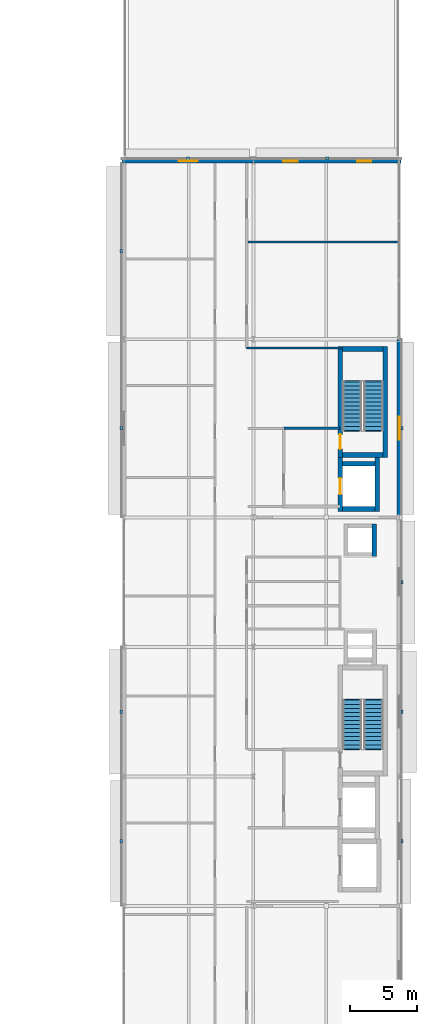
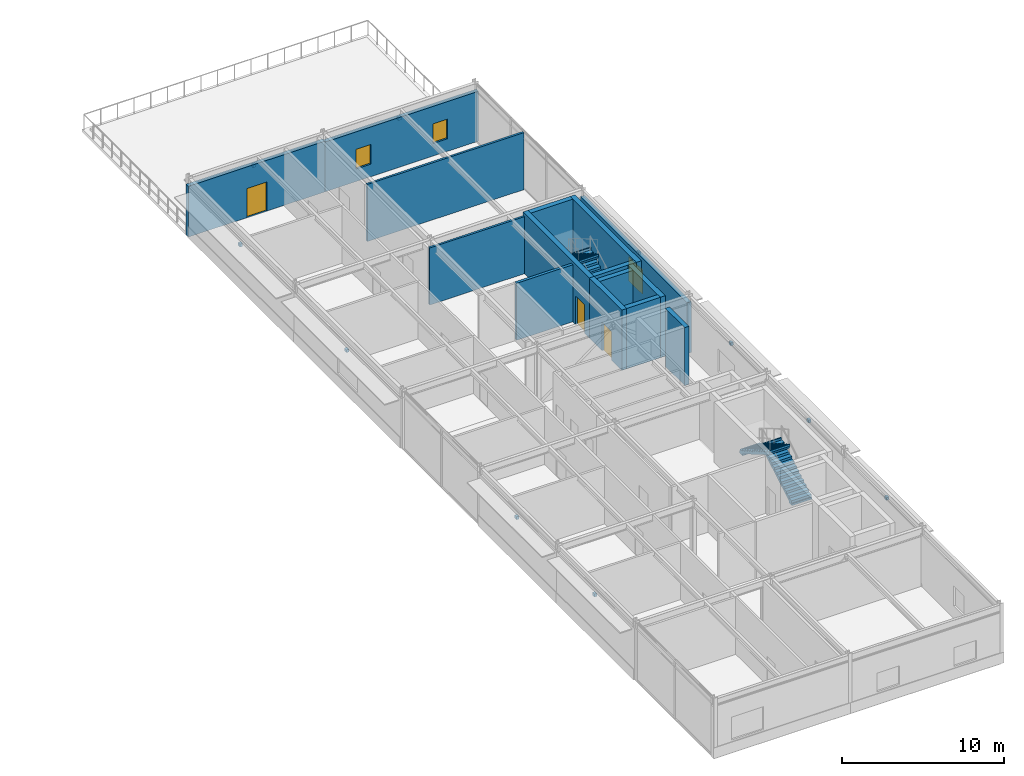
# One storey, part 17 of 22: 15 walls, 10 discrete accessories, 4 stair flights, 3 doors, 3 windows, 6 openings, 2 elements without a shape of their own.
"""IFC4 building model written with IfcOpenShell, lengths in metres."""

import ifcopenshell
import ifcopenshell.guid

model = None  # the IFC model being written
_history = None  # IfcOwnerHistory: only IFC2X3 demands one
_inside = {}  # id of a spatial element -> (the spatial element, [elements in it])
_under = {}  # id of a project, library or spatial element -> (it, [spatial elements below it])
_declared = {}  # id of a project -> (the project, [libraries it declares])
_typed = {}  # id of a type object -> (the type object, [elements of that type])
_made_of = {}  # id of a material, layer set ... -> (it, [elements and type objects made of it])


def new_model(schema):
    """Start an empty IFC model of exactly this schema.

    Asked for "IFC4X3", IfcOpenShell would pick the latest addendum, in which some entities
    have other attributes; the version numbers below select the first issue.
    IFC2X3 requires an IfcOwnerHistory on every rooted entity: one is made here for all.
    """
    global model, _history
    if schema == "IFC4X3":
        model = ifcopenshell.file(schema_version=(4, 3, 0, 0))
    else:
        model = ifcopenshell.file(schema=schema)
    _inside.clear()
    _under.clear()
    _declared.clear()
    _typed.clear()
    _made_of.clear()
    _history = None
    if model.schema == "IFC2X3":
        org = make("IfcOrganization", Name="unknown")
        user = make(
            "IfcPersonAndOrganization",
            ThePerson=make("IfcPerson", FamilyName="unknown"),
            TheOrganization=org,
        )
        app = make(
            "IfcApplication",
            ApplicationDeveloper=org,
            Version="unknown",
            ApplicationFullName="unknown",
            ApplicationIdentifier="unknown",
        )
        _history = make(
            "IfcOwnerHistory",
            OwningUser=user,
            OwningApplication=app,
            ChangeAction="ADDED",
            CreationDate=0,
        )
    return model


def make(cls, **values):
    """One entity of the class cls with the attributes given. An attribute that is None is left unset."""
    return model.create_entity(
        cls, **{name: value for name, value in values.items() if value is not None}
    )


def rooted(cls, **values):
    """An entity with a GlobalId (a new one), such as an element, a storey or a relation."""
    return make(cls, GlobalId=ifcopenshell.guid.new(), OwnerHistory=_history, **values)


def si_unit(unit_type, name, prefix=None):
    """IfcSIUnit, for example si_unit("LENGTHUNIT", "METRE", prefix="MILLI")."""
    return make("IfcSIUnit", UnitType=unit_type, Prefix=prefix, Name=name)


def assignment(units):
    """IfcUnitAssignment: the units of a project."""
    return None if units is None else make("IfcUnitAssignment", Units=units)


def point(xyz):
    """IfcCartesianPoint."""
    return None if xyz is None else make("IfcCartesianPoint", Coordinates=xyz)


def direction(xyz):
    """IfcDirection."""
    return None if xyz is None else make("IfcDirection", DirectionRatios=xyz)


def frame(location, z_axis=None, x_axis=None):
    """IfcAxis2Placement3D, a coordinate frame: its origin and axes. An axis left out is left unset."""
    return make(
        "IfcAxis2Placement3D",
        Location=point(location),
        Axis=direction(z_axis),
        RefDirection=direction(x_axis),
    )


def frame_2d(location, x_axis=None):
    """IfcAxis2Placement2D, a coordinate frame in the plane: its origin and x axis."""
    return make(
        "IfcAxis2Placement2D", Location=point(location), RefDirection=direction(x_axis)
    )


def origin():
    """The frame at (0, 0, 0) with its axes left unset."""
    return frame((0.0, 0.0, 0.0))


def origin_2d():
    """The frame at (0, 0) in the plane with its x axis left unset."""
    return frame_2d((0.0, 0.0))


def place(relative_to, where):
    """IfcLocalPlacement: puts the frame where relative to a parent placement (None: the world)."""
    return make(
        "IfcLocalPlacement", PlacementRelTo=relative_to, RelativePlacement=where
    )


def context(
    kind, dimensions, precision=None, world=None, true_north=None, identifier=None
):
    """IfcGeometricRepresentationContext, for example the 3D "Model" context."""
    return make(
        "IfcGeometricRepresentationContext",
        ContextIdentifier=identifier,
        ContextType=kind,
        CoordinateSpaceDimension=dimensions,
        Precision=precision,
        WorldCoordinateSystem=world,
        TrueNorth=true_north,
    )


def subcontext(parent, identifier, kind, view, scale=None):
    """IfcGeometricRepresentationSubContext, for example "Body" below "Model"."""
    return make(
        "IfcGeometricRepresentationSubContext",
        ContextIdentifier=identifier,
        ContextType=kind,
        ParentContext=parent,
        TargetScale=scale,
        TargetView=view,
    )


def project(units=None, contexts=None):
    """IfcProject with its units and contexts."""
    return rooted(
        "IfcProject",
        Name="project",
        RepresentationContexts=contexts,
        UnitsInContext=assignment(units),
    )


def spatial(cls, under=None, at=None, **own):
    """A site, building, storey or space (cls), placed at a placement, below another one or the project."""
    s = rooted(cls, ObjectPlacement=at, **own)
    if under is not None:
        _under.setdefault(under.id(), (under, []))[1].append(s)
    return s


def polyline(points):
    """IfcPolyline through the points."""
    return make("IfcPolyline", Points=[point(p) for p in points])


def profile(cls, at=None, kind="AREA", **sizes):
    """A parametric profile (cls). Its sizes go by their IFC names, for example OverallWidth=200.0."""
    return make(cls, ProfileType=kind, Position=at, **sizes)


def rectangle(**sizes):
    """IfcRectangleProfileDef."""
    return profile("IfcRectangleProfileDef", **sizes)


def outline(outer, holes=None, kind="AREA"):
    """IfcArbitraryClosedProfileDef: a profile drawn as a closed curve; with holes, ...WithVoids."""
    if holes is None:
        return make("IfcArbitraryClosedProfileDef", ProfileType=kind, OuterCurve=outer)
    return make(
        "IfcArbitraryProfileDefWithVoids",
        ProfileType=kind,
        OuterCurve=outer,
        InnerCurves=holes,
    )


def extrude(swept, where, along, depth):
    """IfcExtrudedAreaSolid: the profile swept, set in the frame where, extruded along a direction by depth."""
    return make(
        "IfcExtrudedAreaSolid",
        SweptArea=swept,
        Position=where,
        ExtrudedDirection=direction(along),
        Depth=depth,
    )


def shape(context_of_items, identifier, shape_type, items):
    """IfcShapeRepresentation: the items that make up one representation, for example the "Body"."""
    return make(
        "IfcShapeRepresentation",
        ContextOfItems=context_of_items,
        RepresentationIdentifier=identifier,
        RepresentationType=shape_type,
        Items=items,
    )


def material(Name=None, Category=None):
    """IfcMaterial."""
    return make("IfcMaterial", Name=Name, Category=Category)


def layer(
    of_material, thickness, ventilated=None, Name=None, Category=None, Priority=None
):
    """IfcMaterialLayer: one layer of a wall or slab, of a material (None: an air gap)."""
    return make(
        "IfcMaterialLayer",
        Material=of_material,
        LayerThickness=thickness,
        IsVentilated=ventilated,
        Name=Name,
        Category=Category,
        Priority=Priority,
    )


def layer_set(layers, Name=None):
    """IfcMaterialLayerSet."""
    return make("IfcMaterialLayerSet", MaterialLayers=layers, LayerSetName=Name)


def made_of(thing, what):
    """Note that an element or type object is made of a material, layer set ...; save() writes the relation."""
    if what is not None:
        _made_of.setdefault(what.id(), (what, []))[1].append(thing)
    return thing


def type_object(cls, material=None, **own):
    """A type object (cls), such as IfcWallType, which elements share."""
    return made_of(rooted(cls, **own), material)


def element(
    cls,
    number,
    at=None,
    inside=None,
    cuts=None,
    type_object=None,
    material=None,
    context=None,
    identifier="Body",
    shape_type=None,
    held_by="IfcProductDefinitionShape",
    body=None,
    shapes=None,
    **own,
):
    """One element of the class cls, such as IfcWall. Its Tag is "e" and its number.

    at: its placement. inside: the storey or other place that contains it. cuts: it is an
    opening in that element (IfcRelVoidsElement). A single representation is given by context,
    identifier, shape_type and body (its items); several are given by shapes. held_by: the class
    of the entity that holds the representations. save() writes the other relations.
    """
    e = rooted(cls, Tag="e%d" % number, ObjectPlacement=at, **own)
    if body is not None:
        shapes = [shape(context, identifier, shape_type, body)]
    if shapes is not None:
        e.Representation = make(held_by, Representations=shapes)
    if inside is not None:
        _inside.setdefault(inside.id(), (inside, []))[1].append(e)
    if cuts is not None:
        rooted(
            "IfcRelVoidsElement", RelatingBuildingElement=cuts, RelatedOpeningElement=e
        )
    if type_object is not None:
        _typed.setdefault(type_object.id(), (type_object, []))[1].append(e)
    return made_of(e, material)


def fill(opening, filler):
    """IfcRelFillsElement: the door or window that sits in an opening."""
    return rooted(
        "IfcRelFillsElement",
        RelatingOpeningElement=opening,
        RelatedBuildingElement=filler,
    )


def aggregate(whole, parts):
    """IfcRelAggregates: a whole, such as a stair, and the parts it consists of."""
    return rooted("IfcRelAggregates", RelatingObject=whole, RelatedObjects=parts)


def save(model, path):
    """Write the relations noted so far, then the file.

    IfcRelAggregates (storeys below a building ...), IfcRelContainedInSpatialStructure (elements
    in a storey), IfcRelDefinesByType, IfcRelAssociatesMaterial and IfcRelDeclares: one each for
    every whole, place, type object, material and project.
    """
    for whole, parts in _under.values():
        aggregate(whole, parts)
    for where, things in _inside.values():
        rooted(
            "IfcRelContainedInSpatialStructure",
            RelatedElements=things,
            RelatingStructure=where,
        )
    for kind, things in _typed.values():
        rooted("IfcRelDefinesByType", RelatedObjects=things, RelatingType=kind)
    for what, things in _made_of.values():
        rooted("IfcRelAssociatesMaterial", RelatedObjects=things, RelatingMaterial=what)
    for by, libraries in _declared.values():
        rooted("IfcRelDeclares", RelatingContext=by, RelatedDefinitions=libraries)
    model.write(path)


model = new_model("IFC4")

# Units and contexts
model_context = context("Model", 3, precision=1e-05, world=origin(), true_north=direction((0.0, 1.0)))
body_context = subcontext(model_context, "Body", "Model", "MODEL_VIEW")
ifc_project = project(units=[si_unit("LENGTHUNIT", "METRE"), si_unit("AREAUNIT", "SQUARE_METRE"), si_unit("VOLUMEUNIT", "CUBIC_METRE"), si_unit("PLANEANGLEUNIT", "RADIAN"), si_unit("MASSUNIT", "GRAM", prefix="KILO")], contexts=[model_context])

# Site, building, storey
site_placement = place(None, origin())
site = spatial("IfcSite", under=ifc_project, at=site_placement, CompositionType="ELEMENT")
building_placement = place(site_placement, origin())
building = spatial("IfcBuilding", under=site, at=building_placement, Name="Almandine Court Research Institute", CompositionType="ELEMENT")
storey_placement = place(building_placement, frame((0.0, 0.0, 28.0)))
storey = spatial("IfcBuildingStorey", under=building, at=storey_placement, Name="L06", CompositionType="ELEMENT", Elevation=28.0)

# Wall, opening, door
ifc_material_1 = material(Name="Insulated Ochre Terracotta Rainscreen Wall", Category="masonry")
ifc_layer_1 = layer(ifc_material_1, 0.2900390625)
ifc_layer_set_1 = layer_set([ifc_layer_1], Name="Insulated Ochre Terracotta Rainscreen Wall")
wall_type_1 = type_object("IfcWallType", Name="Wall-EXT-TERR-290", PredefinedType="SOLIDWALL", material=ifc_layer_set_1)
wall_1_placement = place(storey_placement, frame((153.455078125, 70.800048828125, 0.0), z_axis=(0.0, 0.0, 1.0), x_axis=(1.0, 0.0, 0.0)))
wall_1 = element("IfcWall", 1, at=wall_1_placement, inside=storey, type_object=wall_type_1, Name="L06 Wet Lab North Wall 1", PredefinedType="SOLIDWALL", context=body_context, shape_type="SweptSolid", body=[
    extrude(rectangle(XDim=9.740966796875, YDim=0.2900390625, at=frame_2d((4.87060546875, 0.0))), origin(), (0.0, 0.0, 1.0), 3.825927734375),
])
opening_1_placement = place(wall_1_placement, frame((4.199951171875, 0.0, 0.0)))
opening_1 = element("IfcOpeningElement", 2, at=opening_1_placement, cuts=wall_1, Name="Opening TD-01", PredefinedType="OPENING", context=body_context, shape_type="SweptSolid", body=[
    extrude(rectangle(XDim=1.39990234375, YDim=2.199951171875, at=frame_2d((0.699951171875, 1.10009765625))), frame((0.0, 0.155029296875, 0.0), z_axis=(0.0, -1.0, 0.0), x_axis=(1.0, 0.0, 0.0)), (0.0, 0.0, 1.0), 0.31005859375),
])
ifc_material_2 = material(Name="Thermally Broken Glazed Terrace Door")
door_type_1 = type_object("IfcDoorType", Name="Door-TER-1400", OperationType="DOUBLE_DOOR_SINGLE_SWING", PredefinedType="DOOR", material=ifc_material_2)
door_1_placement = place(opening_1_placement, origin())
door_1 = element("IfcDoor", 3, at=door_1_placement, inside=storey, type_object=door_type_1, Name="L06 Wet Lab North Roof Garden Door", OperationType="DOUBLE_DOOR_SINGLE_SWING", OverallHeight=2.199951171875, OverallWidth=1.39990234375, PredefinedType="DOOR", context=body_context, shape_type="SweptSolid", body=[
    extrude(rectangle(XDim=1.39990234375, YDim=2.199951171875, at=frame_2d((0.699951171875, 1.10009765625))), frame((0.0, 0.02490234375, 0.0), z_axis=(0.0, -1.0, 0.0), x_axis=(1.0, 0.0, 0.0)), (0.0, 0.0, 1.0), 0.050048828125),
])
fill(opening_1, door_1)

# Wall, openings, windows
wall_2_placement = place(storey_placement, frame((163.2041015625, 70.800048828125, 0.0), z_axis=(0.0, 0.0, 1.0), x_axis=(1.0, 0.0, 0.0)))
wall_2 = element("IfcWall", 4, at=wall_2_placement, inside=storey, type_object=wall_type_1, Name="L06 Wet Lab North Wall 2", PredefinedType="SOLIDWALL", context=body_context, shape_type="SweptSolid", body=[
    extrude(rectangle(XDim=10.94091796875, YDim=0.2900390625, at=frame_2d((5.470458984375, 0.0))), origin(), (0.0, 0.0, 1.0), 3.748046875),
])
opening_2_placement = place(wall_2_placement, frame((2.2099609375, 0.0, 0.949951171875)))
opening_2 = element("IfcOpeningElement", 5, at=opening_2_placement, cuts=wall_2, Name="Opening WN-85", PredefinedType="OPENING", context=body_context, shape_type="SweptSolid", body=[
    extrude(rectangle(XDim=1.050048828125, YDim=1.47998046875, at=frame_2d((0.52490234375, 0.739990234375))), frame((0.0, 0.155029296875, 0.0), z_axis=(0.0, -1.0, 0.0), x_axis=(1.0, 0.0, 0.0)), (0.0, 0.0, 1.0), 0.31005859375),
])
opening_3_placement = place(wall_2_placement, frame((7.680908203125, 0.0, 0.949951171875)))
opening_3 = element("IfcOpeningElement", 6, at=opening_3_placement, cuts=wall_2, Name="Opening WN-85", PredefinedType="OPENING", context=body_context, shape_type="SweptSolid", body=[
    extrude(rectangle(XDim=1.050048828125, YDim=1.47998046875, at=frame_2d((0.52490234375, 0.739990234375))), frame((0.0, 0.155029296875, 0.0), z_axis=(0.0, -1.0, 0.0), x_axis=(1.0, 0.0, 0.0)), (0.0, 0.0, 1.0), 0.31005859375),
])
ifc_material_3 = material(Name="Thermally Broken Low-E Double-Glazed Window", Category="glass")
window_type_1 = type_object("IfcWindowType", Name="Win-WN-85-1050x1480", PartitioningType="SINGLE_PANEL", PredefinedType="WINDOW", material=ifc_material_3)
window_1_placement = place(opening_2_placement, origin())
window_1 = element("IfcWindow", 7, at=window_1_placement, inside=storey, type_object=window_type_1, Name="L06 Modular Recessed Low-E Window 160", OverallHeight=1.47998046875, OverallWidth=1.050048828125, PartitioningType="SINGLE_PANEL", PredefinedType="WINDOW", context=body_context, shape_type="SweptSolid", body=[
    extrude(rectangle(XDim=1.050048828125, YDim=1.47998046875, at=frame_2d((0.52490234375, 0.739990234375))), frame((0.0, 0.030029296875, 0.0), z_axis=(0.0, -1.0, 0.0), x_axis=(1.0, 0.0, 0.0)), (0.0, 0.0, 1.0), 0.06005859375),
])
fill(opening_2, window_1)
window_2_placement = place(opening_3_placement, origin())
window_2 = element("IfcWindow", 8, at=window_2_placement, inside=storey, type_object=window_type_1, Name="L06 Modular Recessed Low-E Window 161", OverallHeight=1.47998046875, OverallWidth=1.050048828125, PartitioningType="SINGLE_PANEL", PredefinedType="WINDOW", context=body_context, shape_type="SweptSolid", body=[
    extrude(rectangle(XDim=1.050048828125, YDim=1.47998046875, at=frame_2d((0.52490234375, 0.739990234375))), frame((0.0, 0.030029296875, 0.0), z_axis=(0.0, -1.0, 0.0), x_axis=(1.0, 0.0, 0.0)), (0.0, 0.0, 1.0), 0.06005859375),
])
fill(opening_3, window_2)

# Wall, opening, window
wall_3_placement = place(storey_placement, frame((174.0, 57.595947265625, 0.0), z_axis=(0.0, 0.0, 1.0), x_axis=(0.0, -1.0, 0.0)))
wall_3 = element("IfcWall", 9, at=wall_3_placement, inside=storey, type_object=wall_type_1, Name="L06 Wet Lab East Facade Wall 5", PredefinedType="SOLIDWALL", context=body_context, shape_type="SweptSolid", body=[
    extrude(rectangle(XDim=13.19189453125, YDim=0.2900390625, at=frame_2d((6.595947265625, 0.0))), origin(), (0.0, 0.0, 1.0), 3.8291015625),
])
opening_4_placement = place(wall_3_placement, frame((5.740966796875, 0.0, 0.949951171875)))
opening_4 = element("IfcOpeningElement", 10, at=opening_4_placement, cuts=wall_3, Name="Opening WN-86", PredefinedType="OPENING", context=body_context, shape_type="SweptSolid", body=[
    extrude(rectangle(XDim=1.7099609375, YDim=1.800048828125, at=frame_2d((0.85498046875, 0.89990234375))), frame((0.0, 0.155029296875, 0.0), z_axis=(0.0, -1.0, 0.0), x_axis=(1.0, 0.0, 0.0)), (0.0, 0.0, 1.0), 0.31005859375),
])
window_type_2 = type_object("IfcWindowType", Name="Win-WN-86-1710x1800", PartitioningType="SINGLE_PANEL", PredefinedType="WINDOW", material=ifc_material_3)
window_3_placement = place(opening_4_placement, origin())
window_3 = element("IfcWindow", 11, at=window_3_placement, inside=storey, type_object=window_type_2, Name="L06 Modular Recessed Low-E Window 162", OverallHeight=1.800048828125, OverallWidth=1.7099609375, PartitioningType="SINGLE_PANEL", PredefinedType="WINDOW", context=body_context, shape_type="SweptSolid", body=[
    extrude(rectangle(XDim=1.7099609375, YDim=1.800048828125, at=frame_2d((0.85498046875, 0.89990234375))), frame((0.0, 0.030029296875, 0.0), z_axis=(0.0, -1.0, 0.0), x_axis=(1.0, 0.0, 0.0)), (0.0, 0.0, 1.0), 0.06005859375),
])
fill(opening_4, window_3)

# Walls
ifc_material_4 = material(Name="Two-Hour Fire-Barrier Enclosure Wall")
ifc_layer_2 = layer(ifc_material_4, 0.199951171875)
ifc_layer_set_2 = layer_set([ifc_layer_2], Name="Two-Hour Fire-Barrier Enclosure Wall")
wall_type_2 = type_object("IfcWallType", Name="Wall-FIRE-200", PredefinedType="SOLIDWALL", material=ifc_layer_set_2)
wall_4_placement = place(storey_placement, frame((165.449951171875, 51.0, 0.0), z_axis=(0.0, 0.0, 1.0), x_axis=(1.0, 0.0, 0.0)))
element("IfcWall", 12, at=wall_4_placement, inside=storey, type_object=wall_type_2, Name="L06 Interior Partition W-FFL2-L06-N", PredefinedType="SOLIDWALL", context=body_context, shape_type="SweptSolid", body=[
    extrude(rectangle(XDim=4.150146484375, YDim=0.199951171875, at=frame_2d((2.0751953125, 0.0))), origin(), (0.0, 0.0, 1.0), 4.300048828125),
])
ifc_material_5 = material(Name="Acoustic Steel-Stud Gypsum Partition Wall", Category="steel")
ifc_layer_3 = layer(ifc_material_5, 0.14990234375)
ifc_layer_set_3 = layer_set([ifc_layer_3], Name="Acoustic Steel-Stud Gypsum Partition Wall")
wall_type_3 = type_object("IfcWallType", Name="Wall-PART-150", PredefinedType="PARTITIONING", material=ifc_layer_set_3)
wall_5_placement = place(storey_placement, frame((162.699951171875, 56.949951171875, 0.0), z_axis=(0.0, 0.0, 1.0), x_axis=(1.0, 0.0, 0.0)))
element("IfcWall", 13, at=wall_5_placement, inside=storey, type_object=wall_type_3, Name="L06 Interior Partition W-V4-L06-ES-N1", PredefinedType="PARTITIONING", context=body_context, shape_type="SweptSolid", body=[
    extrude(rectangle(XDim=7.10009765625, YDim=0.14990234375, at=frame_2d((3.550048828125, 0.0))), origin(), (0.0, 0.0, 1.0), 4.300048828125),
])
wall_6_placement = place(storey_placement, frame((162.7900390625, 64.794921875, 0.0), z_axis=(0.0, 0.0, 1.0), x_axis=(1.0, 0.0, 0.0)))
element("IfcWall", 14, at=wall_6_placement, inside=storey, type_object=wall_type_3, Name="L06 Interior Partition W-V4-L06-EDIV-N", PredefinedType="PARTITIONING", context=body_context, shape_type="SweptSolid", body=[
    extrude(rectangle(XDim=11.14990234375, YDim=0.14990234375, at=frame_2d((5.574951171875, 0.0))), origin(), (0.0, 0.0, 1.0), 4.300048828125),
])
ifc_material_6 = material(Name="Concrete C40/50", Category="concrete")
ifc_layer_4 = layer(ifc_material_6, 0.300048828125)
ifc_layer_set_4 = layer_set([ifc_layer_4], Name="Concrete C40/50")
wall_type_4 = type_object("IfcWallType", Name="Wall-SW-CORE-300", PredefinedType="SHEAR", material=ifc_layer_set_4)
wall_7_placement = place(storey_placement, frame((172.14990234375, 43.89990234375, 0.0), z_axis=(0.0, 0.0, 1.0), x_axis=(0.0, -1.0, 0.0)))
element("IfcWall", 15, at=wall_7_placement, inside=storey, type_object=wall_type_4, Name="L06 MEP Riser RS-V4B E Shear Wall", PredefinedType="SHEAR", context=body_context, shape_type="SweptSolid", body=[
    extrude(rectangle(XDim=2.39990234375, YDim=0.300048828125, at=frame_2d((1.199951171875, 0.0))), origin(), (0.0, 0.0, 1.0), 4.3701171875),
])

# Wall, opening, door
ifc_layer_5 = layer(ifc_material_6, 0.35009765625)
ifc_layer_set_5 = layer_set([ifc_layer_5], Name="Concrete C40/50")
wall_type_5 = type_object("IfcWallType", Name="Wall-SW-CORE-350", PredefinedType="SHEAR", material=ifc_layer_set_5)
wall_8_placement = place(storey_placement, frame((169.625, 48.85009765625, 0.0), z_axis=(0.0, 0.0, 1.0), x_axis=(0.0, 1.0, 0.0)))
wall_8 = element("IfcWall", 16, at=wall_8_placement, inside=storey, type_object=wall_type_5, Name="L06 ST-08 W Shear Wall", PredefinedType="SHEAR", context=body_context, shape_type="SweptSolid", body=[
    extrude(rectangle(XDim=8.199951171875, YDim=0.35009765625, at=frame_2d((4.10009765625, 0.0))), origin(), (0.0, 0.0, 1.0), 4.550048828125),
])
opening_5_placement = place(wall_8_placement, frame((0.60009765625, 0.0, 0.0)))
opening_5 = element("IfcOpeningElement", 17, at=opening_5_placement, cuts=wall_8, Name="Opening FD-STAIR", PredefinedType="OPENING", context=body_context, shape_type="SweptSolid", body=[
    extrude(rectangle(XDim=1.10009765625, YDim=2.14990234375, at=frame_2d((0.550048828125, 1.074951171875))), frame((0.0, 0.18505859375, 0.0), z_axis=(0.0, -1.0, 0.0), x_axis=(1.0, 0.0, 0.0)), (0.0, 0.0, 1.0), 0.3701171875),
])
ifc_material_7 = material(Name="Self-Closing Steel Exit Stair Fire Door", Category="steel")
door_type_2 = type_object("IfcDoorType", Name="Door-FD-STAIR-1100", OperationType="NOTDEFINED", PredefinedType="DOOR", material=ifc_material_7)
door_2_placement = place(opening_5_placement, origin())
door_2 = element("IfcDoor", 18, at=door_2_placement, inside=storey, type_object=door_type_2, Name="L06 Exit Stair ST-08 Fire Door", OperationType="SINGLE_SWING_LEFT", OverallHeight=2.14990234375, OverallWidth=1.10009765625, PredefinedType="DOOR", context=body_context, shape_type="SweptSolid", body=[
    extrude(rectangle(XDim=1.10009765625, YDim=2.14990234375, at=frame_2d((0.550048828125, 1.074951171875))), frame((0.0, 0.02490234375, 0.0), z_axis=(0.0, -1.0, 0.0), x_axis=(1.0, 0.0, 0.0)), (0.0, 0.0, 1.0), 0.050048828125),
])
fill(opening_5, door_2)

# Walls
wall_9_placement = place(storey_placement, frame((169.800048828125, 56.875, 0.0), z_axis=(0.0, 0.0, 1.0), x_axis=(1.0, 0.0, 0.0)))
element("IfcWall", 19, at=wall_9_placement, inside=storey, type_object=wall_type_5, Name="L06 ST-08 N Shear Wall", PredefinedType="SHEAR", context=body_context, shape_type="SweptSolid", body=[
    extrude(rectangle(XDim=3.0, YDim=0.35009765625, at=frame_2d((1.5, 0.0))), origin(), (0.0, 0.0, 1.0), 4.550048828125),
])
wall_10_placement = place(storey_placement, frame((172.97509765625, 57.050048828125, 0.0), z_axis=(0.0, 0.0, 1.0), x_axis=(0.0, -1.0, 0.0)))
element("IfcWall", 20, at=wall_10_placement, inside=storey, type_object=wall_type_5, Name="L06 ST-08 E Shear Wall", PredefinedType="SHEAR", context=body_context, shape_type="SweptSolid", body=[
    extrude(rectangle(XDim=8.199951171875, YDim=0.35009765625, at=frame_2d((4.10009765625, 0.0))), origin(), (0.0, 0.0, 1.0), 4.550048828125),
])
wall_11_placement = place(storey_placement, frame((172.800048828125, 49.02490234375, 0.0), z_axis=(0.0, 0.0, 1.0), x_axis=(-1.0, 0.0, 0.0)))
element("IfcWall", 21, at=wall_11_placement, inside=storey, type_object=wall_type_5, Name="L06 ST-08 S Shear Wall", PredefinedType="SHEAR", context=body_context, shape_type="SweptSolid", body=[
    extrude(rectangle(XDim=3.0, YDim=0.35009765625, at=frame_2d((1.5, 0.0))), origin(), (0.0, 0.0, 1.0), 4.550048828125),
])

# Wall, opening, door
wall_12_placement = place(storey_placement, frame((169.625, 44.85009765625, 0.0), z_axis=(0.0, 0.0, 1.0), x_axis=(0.0, 1.0, 0.0)))
wall_12 = element("IfcWall", 22, at=wall_12_placement, inside=storey, type_object=wall_type_5, Name="L06 FL-02 Hoistway W Shear Wall", PredefinedType="SHEAR", context=body_context, shape_type="SweptSolid", body=[
    extrude(rectangle(XDim=4.0, YDim=0.35009765625, at=frame_2d((2.0, 0.0))), origin(), (0.0, 0.0, 1.0), 4.550048828125),
])
opening_6_placement = place(wall_12_placement, frame((1.25, 0.0, 0.0)))
opening_6 = element("IfcOpeningElement", 23, at=opening_6_placement, cuts=wall_12, Name="Opening LD-02", PredefinedType="OPENING", context=body_context, shape_type="SweptSolid", body=[
    extrude(rectangle(XDim=1.199951171875, YDim=2.14990234375, at=frame_2d((0.60009765625, 1.074951171875))), frame((0.0, 0.18505859375, 0.0), z_axis=(0.0, -1.0, 0.0), x_axis=(1.0, 0.0, 0.0)), (0.0, 0.0, 1.0), 0.3701171875),
])
ifc_material_8 = material(Name="Firefighting Lift Landing Sliding Door")
door_type_3 = type_object("IfcDoorType", Name="Door-LD-FSAE-1200", OperationType="SLIDING_TO_LEFT", PredefinedType="USERDEFINED", material=ifc_material_8)
door_3_placement = place(opening_6_placement, origin())
door_3 = element("IfcDoor", 24, at=door_3_placement, inside=storey, type_object=door_type_3, Name="L06 Firefighting Lift FL-02 Sliding Landing Door", ObjectType="LANDING DOOR", OperationType="SLIDING_TO_LEFT", OverallHeight=2.14990234375, OverallWidth=1.199951171875, PredefinedType="USERDEFINED", context=body_context, shape_type="SweptSolid", body=[
    extrude(rectangle(XDim=1.199951171875, YDim=2.14990234375, at=frame_2d((0.60009765625, 1.074951171875))), frame((0.0, 0.02490234375, 0.0), z_axis=(0.0, -1.0, 0.0), x_axis=(1.0, 0.0, 0.0)), (0.0, 0.0, 1.0), 0.050048828125),
])
fill(opening_6, door_3)

# Walls
wall_13_placement = place(storey_placement, frame((169.800048828125, 48.375, 0.0), z_axis=(0.0, 0.0, 1.0), x_axis=(1.0, 0.0, 0.0)))
element("IfcWall", 25, at=wall_13_placement, inside=storey, type_object=wall_type_5, Name="L06 FL-02 Hoistway N Shear Wall", PredefinedType="SHEAR", context=body_context, shape_type="SweptSolid", body=[
    extrude(rectangle(XDim=2.39990234375, YDim=0.35009765625, at=frame_2d((1.199951171875, 0.0))), origin(), (0.0, 0.0, 1.0), 4.550048828125),
])
wall_14_placement = place(storey_placement, frame((172.375, 48.85009765625, 0.0), z_axis=(0.0, 0.0, 1.0), x_axis=(0.0, -1.0, 0.0)))
element("IfcWall", 26, at=wall_14_placement, inside=storey, type_object=wall_type_5, Name="L06 FL-02 Hoistway E Shear Wall", PredefinedType="SHEAR", context=body_context, shape_type="SweptSolid", body=[
    extrude(rectangle(XDim=4.0, YDim=0.35009765625, at=frame_2d((2.0, 0.0))), origin(), (0.0, 0.0, 1.0), 4.550048828125),
])
wall_15_placement = place(storey_placement, frame((172.199951171875, 45.02490234375, 0.0), z_axis=(0.0, 0.0, 1.0), x_axis=(-1.0, 0.0, 0.0)))
element("IfcWall", 27, at=wall_15_placement, inside=storey, type_object=wall_type_5, Name="L06 FL-02 Hoistway S Shear Wall", PredefinedType="SHEAR", context=body_context, shape_type="SweptSolid", body=[
    extrude(rectangle(XDim=2.39990234375, YDim=0.35009765625, at=frame_2d((1.199951171875, 0.0))), origin(), (0.0, 0.0, 1.0), 4.550048828125),
])

# Stair, stair flights
ifc_material_9 = material(Name="Concrete C35/45", Category="concrete")
stair_type = type_object("IfcStairType", Name="Stair-Core-26R", PredefinedType="HALF_TURN_STAIR", material=ifc_material_9)
stair_1_placement = place(storey_placement, origin())
stair_1 = element("IfcStair", 28, at=stair_1_placement, inside=storey, type_object=stair_type, Name="L06 Wet Lab South High-Rise Core Stair", PredefinedType="HALF_TURN_STAIR")
stair_flight_type = type_object("IfcStairFlightType", Name="Flight-Core-26R", PredefinedType="STRAIGHT", material=ifc_material_9)
stair_flight_1_placement = place(storey_placement, frame((172.090087890625, 27.25, 0.0), z_axis=(0.0, 0.0, 1.0), x_axis=(0.0, 1.0, 0.0)))
stair_flight_1 = element("IfcStairFlight", 29, at=stair_flight_1_placement, type_object=stair_flight_type, Name="ST-07 flight 1", NumberOfRisers=13, NumberOfTreads=12, PredefinedType="STRAIGHT", RiserHeight=0.175, TreadLength=0.3, context=body_context, shape_type="SweptSolid", body=[
    extrude(outline(polyline([(-0.080078125, -0.139892578125), (-0.080078125, 0.0), (0.0, 0.0), (0.0, 0.175048828125), (0.300048828125, 0.175048828125), (0.300048828125, 0.35009765625), (0.60009765625, 0.35009765625), (0.60009765625, 0.52490234375), (0.89990234375, 0.52490234375), (0.89990234375, 0.699951171875), (1.199951171875, 0.699951171875), (1.199951171875, 0.875), (1.5, 0.875), (1.5, 1.050048828125), (1.800048828125, 1.050048828125), (1.800048828125, 1.22509765625), (2.10009765625, 1.22509765625), (2.10009765625, 1.39990234375), (2.39990234375, 1.39990234375), (2.39990234375, 1.574951171875), (2.699951171875, 1.574951171875), (2.699951171875, 1.75), (3.0, 1.75), (3.0, 1.925048828125), (3.300048828125, 1.925048828125), (3.300048828125, 2.10009765625), (3.60009765625, 2.10009765625), (3.60009765625, 2.27490234375), (3.679931640625, 2.27490234375), (3.679931640625, 2.114990234375), (3.60009765625, 1.914794921875), (0.3173828125, 0.0), (0.3173828125, -0.139892578125), (-0.080078125, -0.139892578125)])), frame((0.0, 0.7099609375, 0.0), z_axis=(0.0, -1.0, 0.0), x_axis=(1.0, 0.0, 0.0)), (0.0, 0.0, 1.0), 1.419921875),
])
stair_flight_2_placement = place(storey_placement, frame((170.510009765625, 30.85009765625, 2.27490234375), z_axis=(0.0, 0.0, 1.0), x_axis=(0.0, -1.0, 0.0)))
stair_flight_2 = element("IfcStairFlight", 30, at=stair_flight_2_placement, type_object=stair_flight_type, Name="ST-07 flight 2", NumberOfRisers=13, NumberOfTreads=12, PredefinedType="STRAIGHT", RiserHeight=0.175, TreadLength=0.3, context=body_context, shape_type="SweptSolid", body=[
    extrude(outline(polyline([(-0.080078125, -0.139892578125), (-0.080078125, 0.0), (0.0, 0.0), (0.0, 0.175048828125), (0.300048828125, 0.175048828125), (0.300048828125, 0.35009765625), (0.60009765625, 0.35009765625), (0.60009765625, 0.52490234375), (0.89990234375, 0.52490234375), (0.89990234375, 0.699951171875), (1.199951171875, 0.699951171875), (1.199951171875, 0.875), (1.5, 0.875), (1.5, 1.050048828125), (1.800048828125, 1.050048828125), (1.800048828125, 1.22509765625), (2.10009765625, 1.22509765625), (2.10009765625, 1.39990234375), (2.39990234375, 1.39990234375), (2.39990234375, 1.574951171875), (2.699951171875, 1.574951171875), (2.699951171875, 1.75), (3.0, 1.75), (3.0, 1.925048828125), (3.300048828125, 1.925048828125), (3.300048828125, 2.10009765625), (3.60009765625, 2.10009765625), (3.60009765625, 2.27490234375), (3.679931640625, 2.27490234375), (3.679931640625, 2.114990234375), (3.60009765625, 1.914794921875), (0.3173828125, 0.0), (0.3173828125, -0.139892578125), (-0.080078125, -0.139892578125)])), frame((0.0, 0.7099609375, 0.0), z_axis=(0.0, -1.0, 0.0), x_axis=(1.0, 0.0, 0.0)), (0.0, 0.0, 1.0), 1.419921875),
])
aggregate(stair_1, [stair_flight_1, stair_flight_2])

stair_2_placement = place(storey_placement, origin())
stair_2 = element("IfcStair", 31, at=stair_2_placement, inside=storey, type_object=stair_type, Name="L06 Wet Lab Central High-Rise Core Stair", PredefinedType="HALF_TURN_STAIR")
stair_flight_3_placement = place(storey_placement, frame((172.090087890625, 50.85009765625, 0.0), z_axis=(0.0, 0.0, 1.0), x_axis=(0.0, 1.0, 0.0)))
stair_flight_3 = element("IfcStairFlight", 32, at=stair_flight_3_placement, type_object=stair_flight_type, Name="ST-08 flight 1", NumberOfRisers=13, NumberOfTreads=12, PredefinedType="STRAIGHT", RiserHeight=0.175, TreadLength=0.3, context=body_context, shape_type="SweptSolid", body=[
    extrude(outline(polyline([(-0.080078125, -0.139892578125), (-0.080078125, 0.0), (0.0, 0.0), (0.0, 0.175048828125), (0.300048828125, 0.175048828125), (0.300048828125, 0.35009765625), (0.60009765625, 0.35009765625), (0.60009765625, 0.52490234375), (0.89990234375, 0.52490234375), (0.89990234375, 0.699951171875), (1.199951171875, 0.699951171875), (1.199951171875, 0.875), (1.5, 0.875), (1.5, 1.050048828125), (1.800048828125, 1.050048828125), (1.800048828125, 1.22509765625), (2.10009765625, 1.22509765625), (2.10009765625, 1.39990234375), (2.39990234375, 1.39990234375), (2.39990234375, 1.574951171875), (2.699951171875, 1.574951171875), (2.699951171875, 1.75), (3.0, 1.75), (3.0, 1.925048828125), (3.300048828125, 1.925048828125), (3.300048828125, 2.10009765625), (3.60009765625, 2.10009765625), (3.60009765625, 2.27490234375), (3.679931640625, 2.27490234375), (3.679931640625, 2.114990234375), (3.60009765625, 1.914794921875), (0.3173828125, 0.0), (0.3173828125, -0.139892578125), (-0.080078125, -0.139892578125)])), frame((0.0, 0.7099609375, 0.0), z_axis=(0.0, -1.0, 0.0), x_axis=(1.0, 0.0, 0.0)), (0.0, 0.0, 1.0), 1.419921875),
])
stair_flight_4_placement = place(storey_placement, frame((170.510009765625, 54.449951171875, 2.27490234375), z_axis=(0.0, 0.0, 1.0), x_axis=(0.0, -1.0, 0.0)))
stair_flight_4 = element("IfcStairFlight", 33, at=stair_flight_4_placement, type_object=stair_flight_type, Name="ST-08 flight 2", NumberOfRisers=13, NumberOfTreads=12, PredefinedType="STRAIGHT", RiserHeight=0.175, TreadLength=0.3, context=body_context, shape_type="SweptSolid", body=[
    extrude(outline(polyline([(-0.080078125, -0.139892578125), (-0.080078125, 0.0), (0.0, 0.0), (0.0, 0.175048828125), (0.300048828125, 0.175048828125), (0.300048828125, 0.35009765625), (0.60009765625, 0.35009765625), (0.60009765625, 0.52490234375), (0.89990234375, 0.52490234375), (0.89990234375, 0.699951171875), (1.199951171875, 0.699951171875), (1.199951171875, 0.875), (1.5, 0.875), (1.5, 1.050048828125), (1.800048828125, 1.050048828125), (1.800048828125, 1.22509765625), (2.10009765625, 1.22509765625), (2.10009765625, 1.39990234375), (2.39990234375, 1.39990234375), (2.39990234375, 1.574951171875), (2.699951171875, 1.574951171875), (2.699951171875, 1.75), (3.0, 1.75), (3.0, 1.925048828125), (3.300048828125, 1.925048828125), (3.300048828125, 2.10009765625), (3.60009765625, 2.10009765625), (3.60009765625, 2.27490234375), (3.679931640625, 2.27490234375), (3.679931640625, 2.114990234375), (3.60009765625, 1.914794921875), (0.3173828125, 0.0), (0.3173828125, -0.139892578125), (-0.080078125, -0.139892578125)])), frame((0.0, 0.7099609375, 0.0), z_axis=(0.0, -1.0, 0.0), x_axis=(1.0, 0.0, 0.0)), (0.0, 0.0, 1.0), 1.419921875),
])
aggregate(stair_2, [stair_flight_3, stair_flight_4])

# Discrete accessories
ifc_material_10 = material(Name="Galvanised Steel Facade Outrigger Bracket", Category="steel")
ifc_layer_6 = layer(ifc_material_10, 0.219970703125)
ifc_layer_set_6 = layer_set([ifc_layer_6], Name="Galvanised Steel Facade Outrigger Bracket")
discrete_accessory_type = type_object("IfcDiscreteAccessoryType", Name="Acc-CHJ-BRACKET", PredefinedType="BRACKET", material=ifc_layer_set_6)
for number, where, z_axis, x_axis, name in (
    (34, (153.39501953125, 20.39990234375, 3.47802734375), (0.0, 0.0, 1.0), (0.0, 1.0, 0.0), "L06 Chhajja Outrigger Bracket 139"),
    (35, (153.39501953125, 30.0, 3.47802734375), (0.0, 0.0, 1.0), (0.0, 1.0, 0.0), "L06 Chhajja Outrigger Bracket 140"),
    (36, (153.39501953125, 51.0, 3.3271484375), (0.0, 0.0, 1.0), (0.0, 1.0, 0.0), "L06 Chhajja Outrigger Bracket 141"),
    (37, (153.39501953125, 64.126953125, 3.3271484375), (0.0, 0.0, 1.0), (0.0, 1.0, 0.0), "L06 Chhajja Outrigger Bracket 142"),
    (38, (158.325927734375, 71.0048828125, 3.39599609375), (0.0, 0.0, 1.0), (1.0, 0.0, 0.0), "L06 Chhajja Outrigger Bracket 143"),
    (39, (168.675048828125, 71.0048828125, 3.31787109375), (0.0, 0.0, 1.0), (1.0, 0.0, 0.0), "L06 Chhajja Outrigger Bracket 144"),
    (40, (174.205078125, 51.0, 3.39892578125), (0.0, 0.0, 1.0), (0.0, -1.0, 0.0), "L06 Chhajja Outrigger Bracket 145"),
    (41, (174.205078125, 39.60009765625, 3.46923828125), (0.0, 0.0, 1.0), (0.0, -1.0, 0.0), "L06 Chhajja Outrigger Bracket 146"),
    (42, (174.205078125, 30.0, 3.46923828125), (0.0, 0.0, 1.0), (0.0, -1.0, 0.0), "L06 Chhajja Outrigger Bracket 147"),
    (43, (174.205078125, 20.39990234375, 3.46923828125), (0.0, 0.0, 1.0), (0.0, -1.0, 0.0), "L06 Chhajja Outrigger Bracket 148"),
):
    element("IfcDiscreteAccessory", number, at=place(storey_placement, frame(where, z_axis=z_axis, x_axis=x_axis)), inside=storey, type_object=discrete_accessory_type, Name=name, PredefinedType="BRACKET", context=body_context, shape_type="SweptSolid", body=[
        extrude(rectangle(XDim=0.239990234375, YDim=0.179931640625, at=origin_2d()), origin(), (0.0, 0.0, 1.0), 0.219970703125),
    ])

save(model, "model.ifc")
